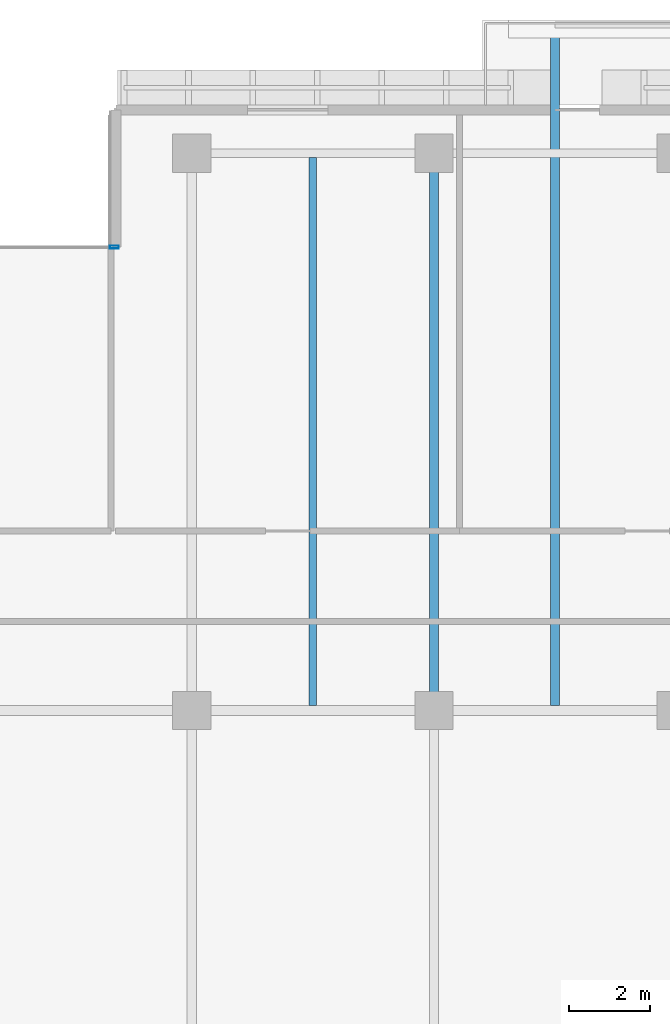
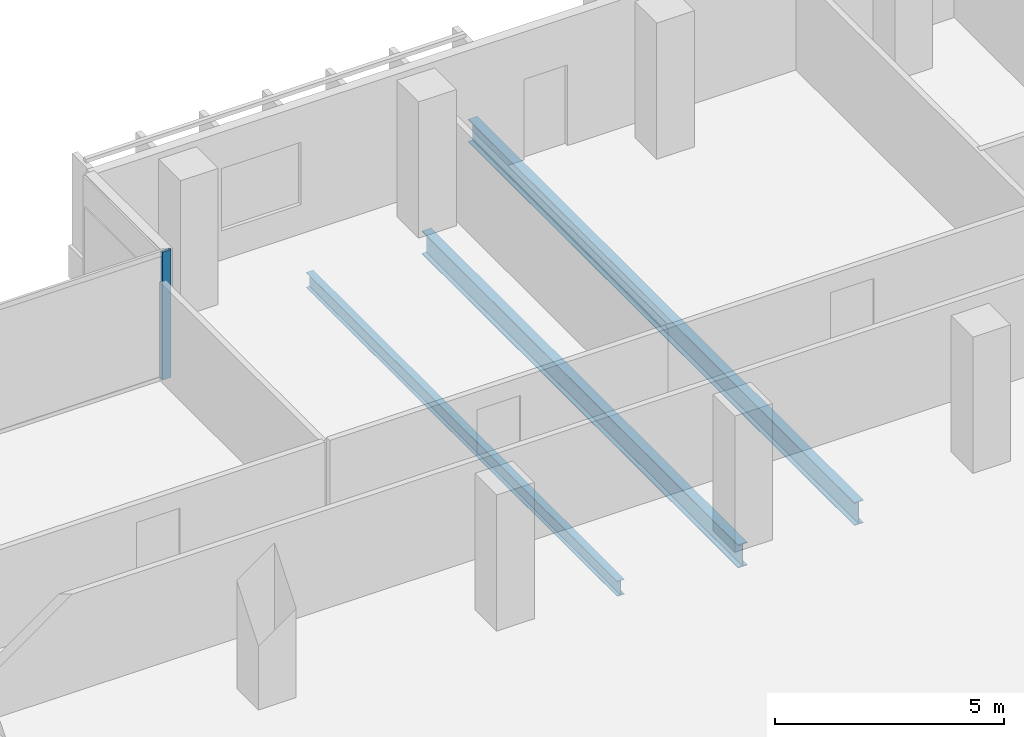
# One storey, part 8 of 22: 3 beams, 1 member, 1 element without a shape of its own.
"""IFC4 building model written with IfcOpenShell, lengths in metres."""

from ifc_helpers import new_model, si_unit, direction, frame, origin, origin_2d, place, context, subcontext, project, spatial, hollow_rectangle, i_section, extrude, material, layer, layer_set, material_profile, profile_set, type_object, element, aggregate, save


model = new_model("IFC4")

# Units and contexts
model_context = context("Model", 3, precision=1e-05, world=origin(), true_north=direction((0.0, 1.0)))
body_context = subcontext(model_context, "Body", "Model", "MODEL_VIEW")
ifc_project = project(units=[si_unit("LENGTHUNIT", "METRE"), si_unit("AREAUNIT", "SQUARE_METRE"), si_unit("VOLUMEUNIT", "CUBIC_METRE"), si_unit("PLANEANGLEUNIT", "RADIAN"), si_unit("MASSUNIT", "GRAM", prefix="KILO")], contexts=[model_context])

# Site, building, storey
site_placement = place(None, origin())
site = spatial("IfcSite", under=ifc_project, at=site_placement, CompositionType="ELEMENT")
building_placement = place(site_placement, origin())
building = spatial("IfcBuilding", under=site, at=building_placement, Name="Tanjung Sevakor Pilgrim Tower", CompositionType="ELEMENT")
storey_placement = place(building_placement, frame((0.0, 0.0, 115.830078125)))
storey = spatial("IfcBuildingStorey", under=building, at=storey_placement, Name="L32", CompositionType="ELEMENT", Elevation=115.830078125)

# Beams
ifc_material_1 = material(Name="Steel S355J2", Category="steel")
ifc_material_profile_1 = material_profile(ifc_material_1, i_section(OverallWidth=0.230224609375, OverallDepth=0.6171875, WebThickness=0.01318359375, FlangeThickness=0.022216796875, FilletRadius=0.0126953125, at=origin_2d()))
ifc_profile_set_1 = profile_set([ifc_material_profile_1], Name="Steel S355J2")
beam_type_1 = type_object("IfcBeamType", Name="BM-B-G3-UB_610x229x140", PredefinedType="BEAM", material=ifc_profile_set_1)
beam_1_placement = place(storey_placement, frame((60.0, 42.60009765625, -0.528564453125), z_axis=(0.0, 1.0, 0.0), x_axis=(-1.0, 0.0, 0.0)))
element("IfcBeam", 1, at=beam_1_placement, inside=storey, type_object=beam_type_1, Name="L32 MAIN Girder 020", PredefinedType="BEAM", context=body_context, shape_type="SweptSolid", body=[
    extrude(i_section(OverallWidth=0.230224609375, OverallDepth=0.6171875, WebThickness=0.01318359375, FlangeThickness=0.022216796875, FilletRadius=0.0126953125, at=origin_2d()), origin(), (0.0, 0.0, 1.0), 13.7998046875),
])
ifc_material_2 = material(Name="Steel S355J2", Category="steel")
ifc_material_profile_2 = material_profile(ifc_material_2, i_section(OverallWidth=0.22900390625, OverallDepth=0.6123046875, WebThickness=0.011962890625, FlangeThickness=0.01953125, FilletRadius=0.0126953125, at=origin_2d()))
ifc_profile_set_2 = profile_set([ifc_material_profile_2], Name="Steel S355J2")
beam_type_2 = type_object("IfcBeamType", Name="BM-B-G4-UB_610x229x125", PredefinedType="BEAM", material=ifc_profile_set_2)
beam_2_placement = place(storey_placement, frame((63.0, 42.727294921875, -0.526123046875), z_axis=(0.0, 1.0, 0.0), x_axis=(-1.0, 0.0, 0.0)))
element("IfcBeam", 2, at=beam_2_placement, inside=storey, type_object=beam_type_2, Name="L32 Balcony Cantilever Beam MAIN-N2-1", PredefinedType="BEAM", context=body_context, shape_type="SweptSolid", body=[
    extrude(i_section(OverallWidth=0.22900390625, OverallDepth=0.6123046875, WebThickness=0.011962890625, FlangeThickness=0.01953125, FilletRadius=0.0126953125, at=origin_2d()), origin(), (0.0, 0.0, 1.0), 16.852783203125),
])
ifc_material_3 = material(Name="Steel S355J2", Category="steel")
ifc_material_profile_3 = material_profile(ifc_material_3, i_section(OverallWidth=0.1787109375, OverallDepth=0.409423828125, WebThickness=0.0087890625, FlangeThickness=0.014404296875, FilletRadius=0.01025390625, at=origin_2d()))
ifc_profile_set_3 = profile_set([ifc_material_profile_3], Name="Steel S355J2")
beam_type_3 = type_object("IfcBeamType", Name="BM-B-J3-UB_406x178x67", PredefinedType="JOIST", material=ifc_profile_set_3)
beam_3_placement = place(storey_placement, frame((57.0, 42.727294921875, -0.4248046875), z_axis=(0.0, 1.0, 0.0), x_axis=(-1.0, 0.0, 0.0)))
element("IfcBeam", 3, at=beam_3_placement, inside=storey, type_object=beam_type_3, Name="L32 MAIN Joist 017", PredefinedType="JOIST", context=body_context, shape_type="SweptSolid", body=[
    extrude(i_section(OverallWidth=0.1787109375, OverallDepth=0.409423828125, WebThickness=0.0087890625, FlangeThickness=0.014404296875, FilletRadius=0.01025390625, at=origin_2d()), origin(), (0.0, 0.0, 1.0), 13.57275390625),
])

# Curtain wall, member
ifc_material_4 = material(Name="Aluminium 6063-T6 and Low-E Glass", Category="aluminium")
ifc_layer = layer(ifc_material_4, 0.179931640625)
ifc_layer_set = layer_set([ifc_layer], Name="CW-SYS-CLEFT")
curtain_wall_type = type_object("IfcCurtainWallType", Name="CW-SYS-CLEFT", PredefinedType="NOTDEFINED", material=ifc_layer_set)
curtain_wall_placement = place(storey_placement, origin())
curtain_wall = element("IfcCurtainWall", 4, at=curtain_wall_placement, inside=storey, type_object=curtain_wall_type, Name="L32 Curtain Wall CW-CLF-L32-10", PredefinedType="NOTDEFINED")
ifc_material_5 = material(Name="Aluminium 6063-T6", Category="aluminium")
ifc_material_profile_4 = material_profile(ifc_material_5, hollow_rectangle(XDim=0.074951171875, YDim=0.219970703125, WallThickness=0.0048828125, at=origin_2d()))
ifc_profile_set_4 = profile_set([ifc_material_profile_4], Name="Aluminium 6063-T6")
member_type = type_object("IfcMemberType", Name="TYPE-CWM-2", PredefinedType="MULLION", material=ifc_profile_set_4)
member_placement = place(storey_placement, frame((52.08740234375, 54.074951171875, 0.0), z_axis=(0.0, 0.0, 1.0), x_axis=(0.0, -1.0, 0.0)))
member = element("IfcMember", 5, at=member_placement, type_object=member_type, Name="CW-CLF mullion 1", PredefinedType="MULLION", context=body_context, shape_type="SweptSolid", body=[
    extrude(hollow_rectangle(XDim=0.074951171875, YDim=0.219970703125, WallThickness=0.0048828125, at=origin_2d()), origin(), (0.0, 0.0, 1.0), 3.409912109375),
])
aggregate(curtain_wall, [member])

save(model, "model.ifc")
